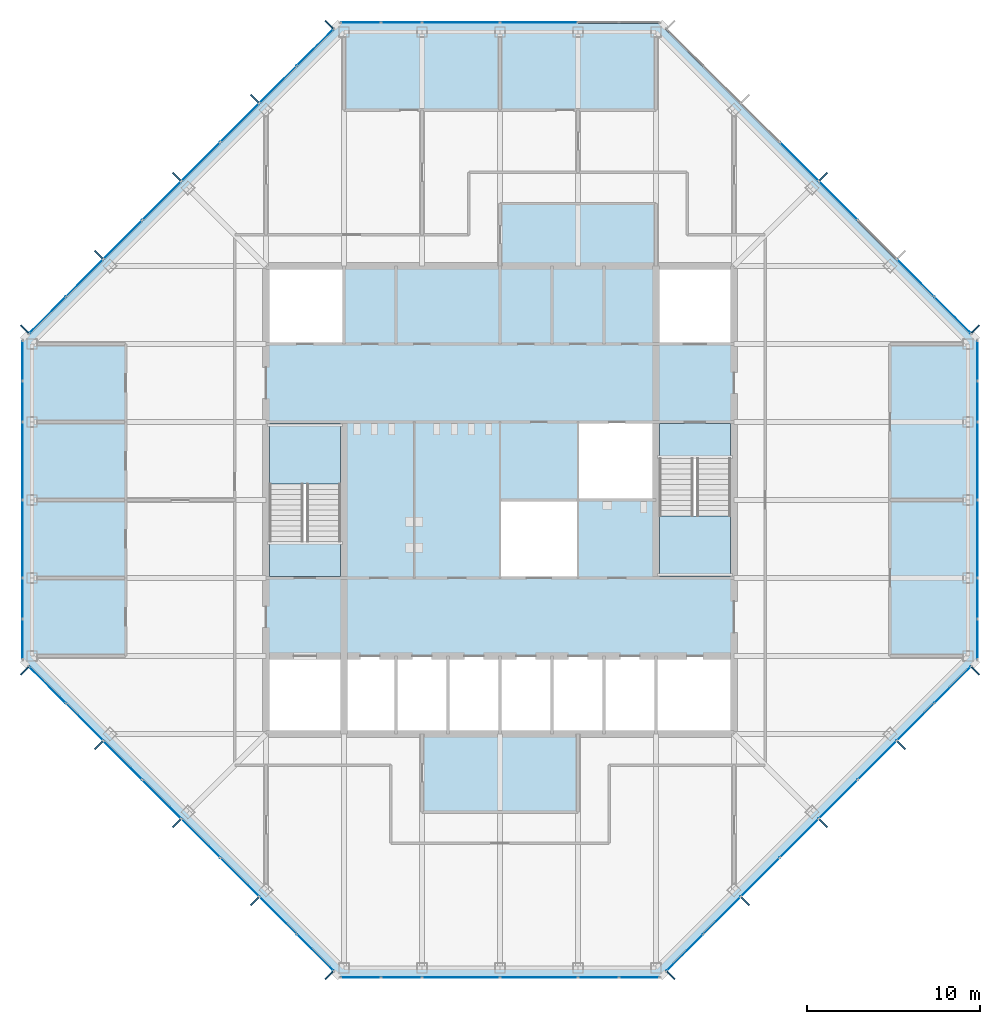
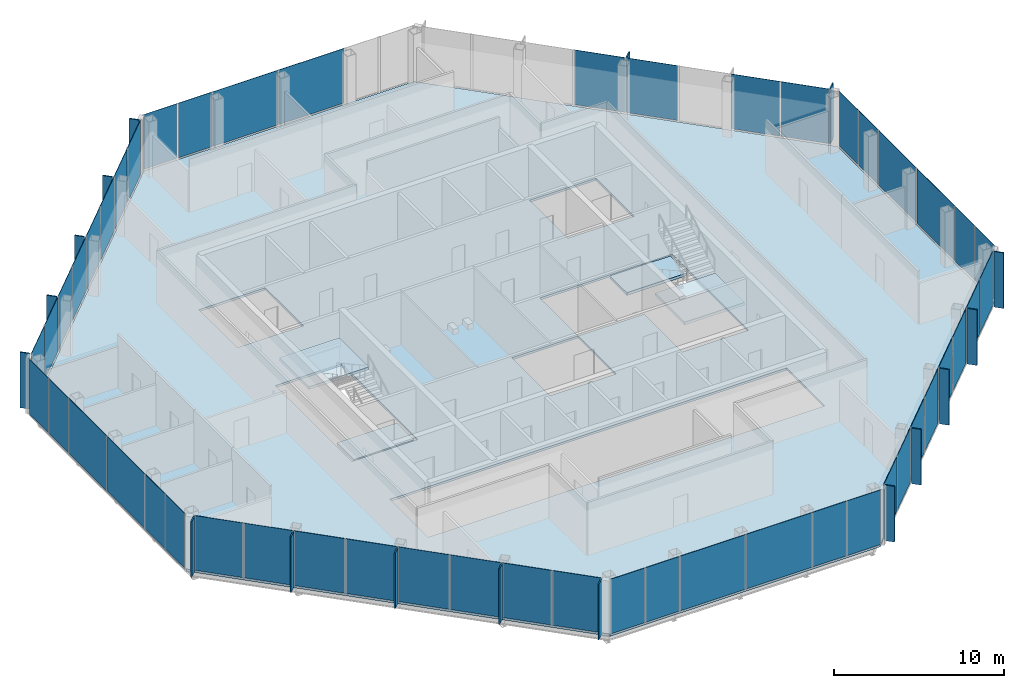
# One storey, part 8 of 14: 67 plates, 5 slabs, 10 elements without a shape of their own.
"""IFC4 building model written with IfcOpenShell, lengths in metres."""

from ifc_helpers import new_model, si_unit, direction, frame, origin, origin_2d, place, context, subcontext, project, spatial, polyline, rectangle, outline, extrude, material, layer, layer_set, type_object, element, aggregate, save


model = new_model("IFC4")

# Units and contexts
model_context = context("Model", 3, precision=1e-05, world=origin(), true_north=direction((0.0, 1.0)))
body_context = subcontext(model_context, "Body", "Model", "MODEL_VIEW")
ifc_project = project(units=[si_unit("LENGTHUNIT", "METRE"), si_unit("AREAUNIT", "SQUARE_METRE"), si_unit("VOLUMEUNIT", "CUBIC_METRE"), si_unit("PLANEANGLEUNIT", "RADIAN"), si_unit("MASSUNIT", "GRAM", prefix="KILO")], contexts=[model_context])

# Site, building, storey
site_placement = place(None, origin())
site = spatial("IfcSite", under=ifc_project, at=site_placement, CompositionType="ELEMENT")
building_placement = place(site_placement, origin())
building = spatial("IfcBuilding", under=site, at=building_placement, Name="Corais Broadcast Tower", CompositionType="ELEMENT")
storey_placement = place(building_placement, frame((0.0, 0.0, 266.60009765625)))
storey = spatial("IfcBuildingStorey", under=building, at=storey_placement, Name="L62", CompositionType="ELEMENT", Elevation=266.60009765625)

# Slab
ifc_material_1 = material(Name="Concrete C30/37", Category="concrete")
ifc_layer_1 = layer(ifc_material_1, 0.159912109375)
ifc_layer_set_1 = layer_set([ifc_layer_1], Name="Concrete C30/37")
slab_type_1 = type_object("IfcSlabType", Name="Composite floor slab 160", PredefinedType="FLOOR", material=ifc_layer_set_1)
slab_1_placement = place(storey_placement, frame((0.0, 0.0, -0.16015625)))
element("IfcSlab", 1, at=slab_1_placement, inside=storey, type_object=slab_type_1, Name="S160 floor slab L62", PredefinedType="FLOOR", context=body_context, shape_type="SweptSolid", body=[
    extrude(outline(polyline([(17.80126953125, -0.47998046875), (-0.47998046875, 17.80126953125), (-0.47998046875, 36.19873046875), (17.80126953125, 54.47998046875), (36.19873046875, 54.47998046875), (54.47998046875, 36.19873046875), (54.47998046875, 17.80126953125), (36.19873046875, -0.47998046875), (17.80126953125, -0.47998046875)]), holes=[polyline([(13.5, 18.0), (40.5, 18.0), (40.5, 13.5), (13.5, 13.5), (13.5, 18.0)]), polyline([(18.0, 22.5), (13.5, 22.5), (13.5, 31.5), (18.0, 31.5), (18.0, 22.5)]), polyline([(18.0, 36.0), (13.5, 36.0), (13.5, 40.5), (18.0, 40.5), (18.0, 36.0)]), polyline([(31.5, 22.5), (27.0, 22.5), (27.0, 27.0), (31.4951171875, 27.0), (31.4951171875, 27.0048828125), (31.5, 27.0048828125), (31.5, 31.5), (40.5, 31.5), (40.5, 22.5), (36.0, 22.5), (36.0, 27.0), (31.5048828125, 27.0), (31.5048828125, 26.9951171875), (31.5, 26.9951171875), (31.5, 22.5)]), polyline([(40.5, 36.0), (36.0, 36.0), (36.0, 40.5), (40.5, 40.5), (40.5, 36.0)])]), origin(), (0.0, 0.0, 1.0), 0.16015625),
])

# Curtain wall, plates
ifc_material_2 = material(Name="Aluminium and glass", Category="aluminium")
curtain_wall_type = type_object("IfcCurtainWallType", Name="Unitised fritted curtain wall CW3", PredefinedType="NOTDEFINED", material=ifc_material_2)
curtain_wall_1_placement = place(storey_placement, origin())
curtain_wall_1 = element("IfcCurtainWall", 2, at=curtain_wall_1_placement, inside=storey, type_object=curtain_wall_type, Name="CW3 curtain wall L62 1", PredefinedType="NOTDEFINED")
ifc_material_3 = material(Name="Ceramic-fritted laminated glass", Category="glass")
ifc_layer_2 = layer(ifc_material_3, 0.02587890625)
ifc_layer_set_2 = layer_set([ifc_layer_2], Name="Ceramic-fritted laminated glass")
plate_type_1 = type_object("IfcPlateType", Name="Fritted glass panel CW3", PredefinedType="CURTAIN_PANEL", material=ifc_layer_set_2)
plate_1_placement = place(storey_placement, frame((16.330322265625, 0.891845703125, 0.06494140625), z_axis=(0.0, 0.0, 1.0), x_axis=(-0.707106781187, 0.707106781187, 0.0)))
plate_1 = element("IfcPlate", 3, at=plate_1_placement, type_object=plate_type_1, Name="CW3 panel 1", PredefinedType="CURTAIN_PANEL", context=body_context, shape_type="SweptSolid", body=[
    extrude(rectangle(XDim=2.9482421875, YDim=0.02587890625, at=origin_2d()), origin(), (0.0, 0.0, 1.0), 3.93505859375),
])
plate_2_placement = place(storey_placement, frame((11.986083984375, 5.236083984375, 0.06494140625), z_axis=(0.0, 0.0, 1.0), x_axis=(-0.707106781187, 0.707106781187, 0.0)))
plate_2 = element("IfcPlate", 4, at=plate_2_placement, type_object=plate_type_1, Name="CW3 panel 3", PredefinedType="CURTAIN_PANEL", context=body_context, shape_type="SweptSolid", body=[
    extrude(rectangle(XDim=3.116943359375, YDim=0.02587890625, at=origin_2d()), origin(), (0.0, 0.0, 1.0), 3.93505859375),
])
plate_3_placement = place(storey_placement, frame((7.486083984375, 9.736083984375, 0.06494140625), z_axis=(0.0, 0.0, 1.0), x_axis=(-0.707106781187, 0.707106781187, 0.0)))
plate_3 = element("IfcPlate", 5, at=plate_3_placement, type_object=plate_type_1, Name="CW3 panel 5", PredefinedType="CURTAIN_PANEL", context=body_context, shape_type="SweptSolid", body=[
    extrude(rectangle(XDim=3.116943359375, YDim=0.02587890625, at=origin_2d()), origin(), (0.0, 0.0, 1.0), 3.93505859375),
])
plate_4_placement = place(storey_placement, frame((3.0341796875, 14.18798828125, 0.06494140625), z_axis=(0.0, 0.0, 1.0), x_axis=(-0.707106781187, 0.707106781187, 0.0)))
plate_4 = element("IfcPlate", 6, at=plate_4_placement, type_object=plate_type_1, Name="CW3 panel 7", PredefinedType="CURTAIN_PANEL", context=body_context, shape_type="SweptSolid", body=[
    extrude(rectangle(XDim=2.98095703125, YDim=0.02587890625, at=origin_2d()), origin(), (0.0, 0.0, 1.0), 3.93505859375),
])

curtain_wall_2_placement = place(storey_placement, origin())
curtain_wall_2 = element("IfcCurtainWall", 7, at=curtain_wall_2_placement, inside=storey, type_object=curtain_wall_type, Name="CW3 curtain wall L62 2", PredefinedType="NOTDEFINED")
plate_5_placement = place(storey_placement, frame((-0.550048828125, 18.970458984375, 0.06494140625), z_axis=(0.0, 0.0, 1.0), x_axis=(0.0, 1.0, 0.0)))
plate_5 = element("IfcPlate", 8, at=plate_5_placement, type_object=plate_type_1, Name="CW3 panel 1", PredefinedType="CURTAIN_PANEL", context=body_context, shape_type="SweptSolid", body=[
    extrude(rectangle(XDim=2.266357421875, YDim=0.02587890625, at=origin_2d()), origin(), (0.0, 0.0, 1.0), 3.93505859375),
])
plate_6_placement = place(storey_placement, frame((-0.550048828125, 24.75, 0.06494140625), z_axis=(0.0, 0.0, 1.0), x_axis=(0.0, 1.0, 0.0)))
plate_6 = element("IfcPlate", 9, at=plate_6_placement, type_object=plate_type_1, Name="CW3 panel 3", PredefinedType="CURTAIN_PANEL", context=body_context, shape_type="SweptSolid", body=[
    extrude(rectangle(XDim=4.43505859375, YDim=0.02587890625, at=origin_2d()), origin(), (0.0, 0.0, 1.0), 3.93505859375),
])
plate_7_placement = place(storey_placement, frame((-0.550048828125, 32.681884765625, 0.06494140625), z_axis=(0.0, 0.0, 1.0), x_axis=(0.0, 1.0, 0.0)))
plate_7 = element("IfcPlate", 10, at=plate_7_placement, type_object=plate_type_1, Name="CW3 panel 5", PredefinedType="CURTAIN_PANEL", context=body_context, shape_type="SweptSolid", body=[
    extrude(rectangle(XDim=2.298828125, YDim=0.02587890625, at=origin_2d()), origin(), (0.0, 0.0, 1.0), 3.93505859375),
])

curtain_wall_3_placement = place(storey_placement, origin())
curtain_wall_3 = element("IfcCurtainWall", 11, at=curtain_wall_3_placement, inside=storey, type_object=curtain_wall_type, Name="CW3 curtain wall L62 3", PredefinedType="NOTDEFINED")
plate_8_placement = place(storey_placement, frame((0.891845703125, 37.669677734375, 0.06494140625), z_axis=(0.0, 0.0, 1.0), x_axis=(0.707106781187, 0.707106781187, 0.0)))
plate_8 = element("IfcPlate", 12, at=plate_8_placement, type_object=plate_type_1, Name="CW3 panel 1", PredefinedType="CURTAIN_PANEL", context=body_context, shape_type="SweptSolid", body=[
    extrude(rectangle(XDim=2.9482421875, YDim=0.02587890625, at=origin_2d()), origin(), (0.0, 0.0, 1.0), 3.93505859375),
])
plate_9_placement = place(storey_placement, frame((5.236083984375, 42.013916015625, 0.06494140625), z_axis=(0.0, 0.0, 1.0), x_axis=(0.707106781187, 0.707106781187, 0.0)))
plate_9 = element("IfcPlate", 13, at=plate_9_placement, type_object=plate_type_1, Name="CW3 panel 3", PredefinedType="CURTAIN_PANEL", context=body_context, shape_type="SweptSolid", body=[
    extrude(rectangle(XDim=3.116943359375, YDim=0.02587890625, at=origin_2d()), origin(), (0.0, 0.0, 1.0), 3.93505859375),
])
plate_10_placement = place(storey_placement, frame((9.736083984375, 46.513916015625, 0.06494140625), z_axis=(0.0, 0.0, 1.0), x_axis=(0.707106781187, 0.707106781187, 0.0)))
plate_10 = element("IfcPlate", 14, at=plate_10_placement, type_object=plate_type_1, Name="CW3 panel 5", PredefinedType="CURTAIN_PANEL", context=body_context, shape_type="SweptSolid", body=[
    extrude(rectangle(XDim=3.116943359375, YDim=0.02587890625, at=origin_2d()), origin(), (0.0, 0.0, 1.0), 3.93505859375),
])
plate_11_placement = place(storey_placement, frame((14.18798828125, 50.9658203125, 0.06494140625), z_axis=(0.0, 0.0, 1.0), x_axis=(0.707106781187, 0.707106781187, 0.0)))
plate_11 = element("IfcPlate", 15, at=plate_11_placement, type_object=plate_type_1, Name="CW3 panel 7", PredefinedType="CURTAIN_PANEL", context=body_context, shape_type="SweptSolid", body=[
    extrude(rectangle(XDim=2.98095703125, YDim=0.02587890625, at=origin_2d()), origin(), (0.0, 0.0, 1.0), 3.93505859375),
])

curtain_wall_4_placement = place(storey_placement, origin())
curtain_wall_4 = element("IfcCurtainWall", 16, at=curtain_wall_4_placement, inside=storey, type_object=curtain_wall_type, Name="CW3 curtain wall L62 4", PredefinedType="NOTDEFINED")
plate_12_placement = place(storey_placement, frame((18.970458984375, 54.550048828125, 0.06494140625), z_axis=(0.0, 0.0, 1.0), x_axis=(1.0, 0.0, 0.0)))
plate_12 = element("IfcPlate", 17, at=plate_12_placement, type_object=plate_type_1, Name="CW3 panel 1", PredefinedType="CURTAIN_PANEL", context=body_context, shape_type="SweptSolid", body=[
    extrude(rectangle(XDim=2.266357421875, YDim=0.02587890625, at=origin_2d()), origin(), (0.0, 0.0, 1.0), 3.93505859375),
])
plate_13_placement = place(storey_placement, frame((24.75, 54.550048828125, 0.06494140625), z_axis=(0.0, 0.0, 1.0), x_axis=(1.0, 0.0, 0.0)))
plate_13 = element("IfcPlate", 18, at=plate_13_placement, type_object=plate_type_1, Name="CW3 panel 3", PredefinedType="CURTAIN_PANEL", context=body_context, shape_type="SweptSolid", body=[
    extrude(rectangle(XDim=4.43505859375, YDim=0.02587890625, at=origin_2d()), origin(), (0.0, 0.0, 1.0), 3.93505859375),
])

curtain_wall_5_placement = place(storey_placement, origin())
curtain_wall_5 = element("IfcCurtainWall", 19, at=curtain_wall_5_placement, inside=storey, type_object=curtain_wall_type, Name="CW3 curtain wall L62 5", PredefinedType="NOTDEFINED")
plate_14_placement = place(storey_placement, frame((46.513916015625, 44.263916015625, 0.06494140625), z_axis=(0.0, 0.0, 1.0), x_axis=(0.707106781187, -0.707106781187, 0.0)))
plate_14 = element("IfcPlate", 20, at=plate_14_placement, type_object=plate_type_1, Name="CW3 panel 5", PredefinedType="CURTAIN_PANEL", context=body_context, shape_type="SweptSolid", body=[
    extrude(rectangle(XDim=3.116943359375, YDim=0.02587890625, at=origin_2d()), origin(), (0.0, 0.0, 1.0), 3.93505859375),
])
plate_15_placement = place(storey_placement, frame((50.9658203125, 39.81201171875, 0.06494140625), z_axis=(0.0, 0.0, 1.0), x_axis=(0.707106781187, -0.707106781187, 0.0)))
plate_15 = element("IfcPlate", 21, at=plate_15_placement, type_object=plate_type_1, Name="CW3 panel 7", PredefinedType="CURTAIN_PANEL", context=body_context, shape_type="SweptSolid", body=[
    extrude(rectangle(XDim=2.98095703125, YDim=0.02587890625, at=origin_2d()), origin(), (0.0, 0.0, 1.0), 3.93505859375),
])

curtain_wall_6_placement = place(storey_placement, origin())
curtain_wall_6 = element("IfcCurtainWall", 22, at=curtain_wall_6_placement, inside=storey, type_object=curtain_wall_type, Name="CW3 curtain wall L62 6", PredefinedType="NOTDEFINED")
plate_16_placement = place(storey_placement, frame((54.550048828125, 35.029541015625, 0.06494140625), z_axis=(0.0, 0.0, 1.0), x_axis=(0.0, -1.0, 0.0)))
plate_16 = element("IfcPlate", 23, at=plate_16_placement, type_object=plate_type_1, Name="CW3 panel 1", PredefinedType="CURTAIN_PANEL", context=body_context, shape_type="SweptSolid", body=[
    extrude(rectangle(XDim=2.266357421875, YDim=0.02587890625, at=origin_2d()), origin(), (0.0, 0.0, 1.0), 3.93505859375),
])
plate_17_placement = place(storey_placement, frame((54.550048828125, 29.25, 0.06494140625), z_axis=(0.0, 0.0, 1.0), x_axis=(0.0, -1.0, 0.0)))
plate_17 = element("IfcPlate", 24, at=plate_17_placement, type_object=plate_type_1, Name="CW3 panel 3", PredefinedType="CURTAIN_PANEL", context=body_context, shape_type="SweptSolid", body=[
    extrude(rectangle(XDim=4.43505859375, YDim=0.02587890625, at=origin_2d()), origin(), (0.0, 0.0, 1.0), 3.93505859375),
])
plate_18_placement = place(storey_placement, frame((54.550048828125, 21.318115234375, 0.06494140625), z_axis=(0.0, 0.0, 1.0), x_axis=(0.0, -1.0, 0.0)))
plate_18 = element("IfcPlate", 25, at=plate_18_placement, type_object=plate_type_1, Name="CW3 panel 5", PredefinedType="CURTAIN_PANEL", context=body_context, shape_type="SweptSolid", body=[
    extrude(rectangle(XDim=2.298828125, YDim=0.02587890625, at=origin_2d()), origin(), (0.0, 0.0, 1.0), 3.93505859375),
])

curtain_wall_7_placement = place(storey_placement, origin())
curtain_wall_7 = element("IfcCurtainWall", 26, at=curtain_wall_7_placement, inside=storey, type_object=curtain_wall_type, Name="CW3 curtain wall L62 7", PredefinedType="NOTDEFINED")
plate_19_placement = place(storey_placement, frame((53.108154296875, 16.330322265625, 0.06494140625), z_axis=(0.0, 0.0, 1.0), x_axis=(-0.707106781187, -0.707106781187, 0.0)))
plate_19 = element("IfcPlate", 27, at=plate_19_placement, type_object=plate_type_1, Name="CW3 panel 1", PredefinedType="CURTAIN_PANEL", context=body_context, shape_type="SweptSolid", body=[
    extrude(rectangle(XDim=2.9482421875, YDim=0.02587890625, at=origin_2d()), origin(), (0.0, 0.0, 1.0), 3.93505859375),
])
plate_20_placement = place(storey_placement, frame((48.763916015625, 11.986083984375, 0.06494140625), z_axis=(0.0, 0.0, 1.0), x_axis=(-0.707106781187, -0.707106781187, 0.0)))
plate_20 = element("IfcPlate", 28, at=plate_20_placement, type_object=plate_type_1, Name="CW3 panel 3", PredefinedType="CURTAIN_PANEL", context=body_context, shape_type="SweptSolid", body=[
    extrude(rectangle(XDim=3.116943359375, YDim=0.02587890625, at=origin_2d()), origin(), (0.0, 0.0, 1.0), 3.93505859375),
])
plate_21_placement = place(storey_placement, frame((44.263916015625, 7.486083984375, 0.06494140625), z_axis=(0.0, 0.0, 1.0), x_axis=(-0.707106781187, -0.707106781187, 0.0)))
plate_21 = element("IfcPlate", 29, at=plate_21_placement, type_object=plate_type_1, Name="CW3 panel 5", PredefinedType="CURTAIN_PANEL", context=body_context, shape_type="SweptSolid", body=[
    extrude(rectangle(XDim=3.116943359375, YDim=0.02587890625, at=origin_2d()), origin(), (0.0, 0.0, 1.0), 3.93505859375),
])
plate_22_placement = place(storey_placement, frame((39.81201171875, 3.0341796875, 0.06494140625), z_axis=(0.0, 0.0, 1.0), x_axis=(-0.707106781187, -0.707106781187, 0.0)))
plate_22 = element("IfcPlate", 30, at=plate_22_placement, type_object=plate_type_1, Name="CW3 panel 7", PredefinedType="CURTAIN_PANEL", context=body_context, shape_type="SweptSolid", body=[
    extrude(rectangle(XDim=2.98095703125, YDim=0.02587890625, at=origin_2d()), origin(), (0.0, 0.0, 1.0), 3.93505859375),
])

curtain_wall_8_placement = place(storey_placement, origin())
curtain_wall_8 = element("IfcCurtainWall", 31, at=curtain_wall_8_placement, inside=storey, type_object=curtain_wall_type, Name="CW3 curtain wall L62 8", PredefinedType="NOTDEFINED")
plate_23_placement = place(storey_placement, frame((35.029541015625, -0.550048828125, 0.06494140625), z_axis=(0.0, 0.0, 1.0), x_axis=(-1.0, 0.0, 0.0)))
plate_23 = element("IfcPlate", 32, at=plate_23_placement, type_object=plate_type_1, Name="CW3 panel 1", PredefinedType="CURTAIN_PANEL", context=body_context, shape_type="SweptSolid", body=[
    extrude(rectangle(XDim=2.266357421875, YDim=0.02587890625, at=origin_2d()), origin(), (0.0, 0.0, 1.0), 3.93505859375),
])
plate_24_placement = place(storey_placement, frame((29.25, -0.550048828125, 0.06494140625), z_axis=(0.0, 0.0, 1.0), x_axis=(-1.0, 0.0, 0.0)))
plate_24 = element("IfcPlate", 33, at=plate_24_placement, type_object=plate_type_1, Name="CW3 panel 3", PredefinedType="CURTAIN_PANEL", context=body_context, shape_type="SweptSolid", body=[
    extrude(rectangle(XDim=4.43505859375, YDim=0.02587890625, at=origin_2d()), origin(), (0.0, 0.0, 1.0), 3.93505859375),
])
plate_25_placement = place(storey_placement, frame((21.318115234375, -0.550048828125, 0.06494140625), z_axis=(0.0, 0.0, 1.0), x_axis=(-1.0, 0.0, 0.0)))
plate_25 = element("IfcPlate", 34, at=plate_25_placement, type_object=plate_type_1, Name="CW3 panel 5", PredefinedType="CURTAIN_PANEL", context=body_context, shape_type="SweptSolid", body=[
    extrude(rectangle(XDim=2.298828125, YDim=0.02587890625, at=origin_2d()), origin(), (0.0, 0.0, 1.0), 3.93505859375),
])

# Plate
ifc_material_4 = material(Name="Clear laminated glass", Category="glass")
ifc_layer_3 = layer(ifc_material_4, 0.030029296875)
ifc_layer_set_3 = layer_set([ifc_layer_3], Name="Clear laminated glass")
plate_type_2 = type_object("IfcPlateType", Name="Operable glass panel CW3", PredefinedType="CURTAIN_PANEL", material=ifc_layer_set_3)
plate_26_placement = place(storey_placement, frame((14.18798828125, 3.0341796875, 0.06494140625), z_axis=(0.0, 0.0, 1.0), x_axis=(-0.707106781187, 0.707106781187, 0.0)))
plate_26 = element("IfcPlate", 35, at=plate_26_placement, type_object=plate_type_2, Name="CW3 operable panel 2", PredefinedType="CURTAIN_PANEL", context=body_context, shape_type="SweptSolid", body=[
    extrude(rectangle(XDim=2.98095703125, YDim=0.030029296875, at=origin_2d()), origin(), (0.0, 0.0, 1.0), 3.93505859375),
])

plate_27_placement = place(storey_placement, frame((9.736083984375, 7.486083984375, 0.06494140625), z_axis=(0.0, 0.0, 1.0), x_axis=(-0.707106781187, 0.707106781187, 0.0)))
plate_27 = element("IfcPlate", 36, at=plate_27_placement, type_object=plate_type_2, Name="CW3 operable panel 4", PredefinedType="CURTAIN_PANEL", context=body_context, shape_type="SweptSolid", body=[
    extrude(rectangle(XDim=3.116943359375, YDim=0.030029296875, at=origin_2d()), origin(), (0.0, 0.0, 1.0), 3.93505859375),
])

plate_28_placement = place(storey_placement, frame((5.236083984375, 11.986083984375, 0.06494140625), z_axis=(0.0, 0.0, 1.0), x_axis=(-0.707106781187, 0.707106781187, 0.0)))
plate_28 = element("IfcPlate", 37, at=plate_28_placement, type_object=plate_type_2, Name="CW3 operable panel 6", PredefinedType="CURTAIN_PANEL", context=body_context, shape_type="SweptSolid", body=[
    extrude(rectangle(XDim=3.116943359375, YDim=0.030029296875, at=origin_2d()), origin(), (0.0, 0.0, 1.0), 3.93505859375),
])

plate_29_placement = place(storey_placement, frame((0.89208984375, 16.330322265625, 0.06494140625), z_axis=(0.0, 0.0, 1.0), x_axis=(-0.707106781187, 0.707106781187, 0.0)))
plate_29 = element("IfcPlate", 38, at=plate_29_placement, type_object=plate_type_2, Name="CW3 operable panel 8", PredefinedType="CURTAIN_PANEL", context=body_context, shape_type="SweptSolid", body=[
    extrude(rectangle(XDim=2.948486328125, YDim=0.030029296875, at=origin_2d()), origin(), (0.0, 0.0, 1.0), 3.93505859375),
])

aggregate(curtain_wall_1, [plate_1, plate_26, plate_2, plate_27, plate_3, plate_28, plate_4, plate_29])

plate_30_placement = place(storey_placement, frame((-0.550048828125, 21.318115234375, 0.06494140625), z_axis=(0.0, 0.0, 1.0), x_axis=(0.0, 1.0, 0.0)))
plate_30 = element("IfcPlate", 39, at=plate_30_placement, type_object=plate_type_2, Name="CW3 operable panel 2", PredefinedType="CURTAIN_PANEL", context=body_context, shape_type="SweptSolid", body=[
    extrude(rectangle(XDim=2.298828125, YDim=0.030029296875, at=origin_2d()), origin(), (0.0, 0.0, 1.0), 3.93505859375),
])

plate_31_placement = place(storey_placement, frame((-0.550048828125, 29.25, 0.06494140625), z_axis=(0.0, 0.0, 1.0), x_axis=(0.0, 1.0, 0.0)))
plate_31 = element("IfcPlate", 40, at=plate_31_placement, type_object=plate_type_2, Name="CW3 operable panel 4", PredefinedType="CURTAIN_PANEL", context=body_context, shape_type="SweptSolid", body=[
    extrude(rectangle(XDim=4.43505859375, YDim=0.030029296875, at=origin_2d()), origin(), (0.0, 0.0, 1.0), 3.93505859375),
])

plate_32_placement = place(storey_placement, frame((-0.550048828125, 35.029541015625, 0.06494140625), z_axis=(0.0, 0.0, 1.0), x_axis=(0.0, 1.0, 0.0)))
plate_32 = element("IfcPlate", 41, at=plate_32_placement, type_object=plate_type_2, Name="CW3 operable panel 6", PredefinedType="CURTAIN_PANEL", context=body_context, shape_type="SweptSolid", body=[
    extrude(rectangle(XDim=2.266357421875, YDim=0.030029296875, at=origin_2d()), origin(), (0.0, 0.0, 1.0), 3.93505859375),
])

aggregate(curtain_wall_2, [plate_5, plate_30, plate_6, plate_31, plate_7, plate_32])

plate_33_placement = place(storey_placement, frame((3.0341796875, 39.81201171875, 0.06494140625), z_axis=(0.0, 0.0, 1.0), x_axis=(0.707106781187, 0.707106781187, 0.0)))
plate_33 = element("IfcPlate", 42, at=plate_33_placement, type_object=plate_type_2, Name="CW3 operable panel 2", PredefinedType="CURTAIN_PANEL", context=body_context, shape_type="SweptSolid", body=[
    extrude(rectangle(XDim=2.98095703125, YDim=0.030029296875, at=origin_2d()), origin(), (0.0, 0.0, 1.0), 3.93505859375),
])

plate_34_placement = place(storey_placement, frame((7.486083984375, 44.263916015625, 0.06494140625), z_axis=(0.0, 0.0, 1.0), x_axis=(0.707106781187, 0.707106781187, 0.0)))
plate_34 = element("IfcPlate", 43, at=plate_34_placement, type_object=plate_type_2, Name="CW3 operable panel 4", PredefinedType="CURTAIN_PANEL", context=body_context, shape_type="SweptSolid", body=[
    extrude(rectangle(XDim=3.116943359375, YDim=0.030029296875, at=origin_2d()), origin(), (0.0, 0.0, 1.0), 3.93505859375),
])

plate_35_placement = place(storey_placement, frame((11.986083984375, 48.763916015625, 0.06494140625), z_axis=(0.0, 0.0, 1.0), x_axis=(0.707106781187, 0.707106781187, 0.0)))
plate_35 = element("IfcPlate", 44, at=plate_35_placement, type_object=plate_type_2, Name="CW3 operable panel 6", PredefinedType="CURTAIN_PANEL", context=body_context, shape_type="SweptSolid", body=[
    extrude(rectangle(XDim=3.116943359375, YDim=0.030029296875, at=origin_2d()), origin(), (0.0, 0.0, 1.0), 3.93505859375),
])

plate_36_placement = place(storey_placement, frame((16.330322265625, 53.10791015625, 0.06494140625), z_axis=(0.0, 0.0, 1.0), x_axis=(0.707106781187, 0.707106781187, 0.0)))
plate_36 = element("IfcPlate", 45, at=plate_36_placement, type_object=plate_type_2, Name="CW3 operable panel 8", PredefinedType="CURTAIN_PANEL", context=body_context, shape_type="SweptSolid", body=[
    extrude(rectangle(XDim=2.948486328125, YDim=0.030029296875, at=origin_2d()), origin(), (0.0, 0.0, 1.0), 3.93505859375),
])

aggregate(curtain_wall_3, [plate_8, plate_33, plate_9, plate_34, plate_10, plate_35, plate_11, plate_36])

plate_37_placement = place(storey_placement, frame((21.318115234375, 54.550048828125, 0.06494140625), z_axis=(0.0, 0.0, 1.0), x_axis=(1.0, 0.0, 0.0)))
plate_37 = element("IfcPlate", 46, at=plate_37_placement, type_object=plate_type_2, Name="CW3 operable panel 2", PredefinedType="CURTAIN_PANEL", context=body_context, shape_type="SweptSolid", body=[
    extrude(rectangle(XDim=2.298828125, YDim=0.030029296875, at=origin_2d()), origin(), (0.0, 0.0, 1.0), 3.93505859375),
])

plate_38_placement = place(storey_placement, frame((29.25, 54.550048828125, 0.06494140625), z_axis=(0.0, 0.0, 1.0), x_axis=(1.0, 0.0, 0.0)))
plate_38 = element("IfcPlate", 47, at=plate_38_placement, type_object=plate_type_2, Name="CW3 operable panel 4", PredefinedType="CURTAIN_PANEL", context=body_context, shape_type="SweptSolid", body=[
    extrude(rectangle(XDim=4.43505859375, YDim=0.030029296875, at=origin_2d()), origin(), (0.0, 0.0, 1.0), 3.93505859375),
])

aggregate(curtain_wall_4, [plate_12, plate_37, plate_13, plate_38])

plate_39_placement = place(storey_placement, frame((44.263916015625, 46.513916015625, 0.06494140625), z_axis=(0.0, 0.0, 1.0), x_axis=(0.707106781187, -0.707106781187, 0.0)))
plate_39 = element("IfcPlate", 48, at=plate_39_placement, type_object=plate_type_2, Name="CW3 operable panel 4", PredefinedType="CURTAIN_PANEL", context=body_context, shape_type="SweptSolid", body=[
    extrude(rectangle(XDim=3.116943359375, YDim=0.030029296875, at=origin_2d()), origin(), (0.0, 0.0, 1.0), 3.93505859375),
])

plate_40_placement = place(storey_placement, frame((53.10791015625, 37.669677734375, 0.06494140625), z_axis=(0.0, 0.0, 1.0), x_axis=(0.707106781187, -0.707106781187, 0.0)))
plate_40 = element("IfcPlate", 49, at=plate_40_placement, type_object=plate_type_2, Name="CW3 operable panel 8", PredefinedType="CURTAIN_PANEL", context=body_context, shape_type="SweptSolid", body=[
    extrude(rectangle(XDim=2.948486328125, YDim=0.030029296875, at=origin_2d()), origin(), (0.0, 0.0, 1.0), 3.93505859375),
])

aggregate(curtain_wall_5, [plate_39, plate_14, plate_15, plate_40])

plate_41_placement = place(storey_placement, frame((54.550048828125, 32.681884765625, 0.06494140625), z_axis=(0.0, 0.0, 1.0), x_axis=(0.0, -1.0, 0.0)))
plate_41 = element("IfcPlate", 50, at=plate_41_placement, type_object=plate_type_2, Name="CW3 operable panel 2", PredefinedType="CURTAIN_PANEL", context=body_context, shape_type="SweptSolid", body=[
    extrude(rectangle(XDim=2.298828125, YDim=0.030029296875, at=origin_2d()), origin(), (0.0, 0.0, 1.0), 3.93505859375),
])

plate_42_placement = place(storey_placement, frame((54.550048828125, 24.75, 0.06494140625), z_axis=(0.0, 0.0, 1.0), x_axis=(0.0, -1.0, 0.0)))
plate_42 = element("IfcPlate", 51, at=plate_42_placement, type_object=plate_type_2, Name="CW3 operable panel 4", PredefinedType="CURTAIN_PANEL", context=body_context, shape_type="SweptSolid", body=[
    extrude(rectangle(XDim=4.43505859375, YDim=0.030029296875, at=origin_2d()), origin(), (0.0, 0.0, 1.0), 3.93505859375),
])

plate_43_placement = place(storey_placement, frame((54.550048828125, 18.970458984375, 0.06494140625), z_axis=(0.0, 0.0, 1.0), x_axis=(0.0, -1.0, 0.0)))
plate_43 = element("IfcPlate", 52, at=plate_43_placement, type_object=plate_type_2, Name="CW3 operable panel 6", PredefinedType="CURTAIN_PANEL", context=body_context, shape_type="SweptSolid", body=[
    extrude(rectangle(XDim=2.266357421875, YDim=0.030029296875, at=origin_2d()), origin(), (0.0, 0.0, 1.0), 3.93505859375),
])

aggregate(curtain_wall_6, [plate_16, plate_41, plate_17, plate_42, plate_18, plate_43])

plate_44_placement = place(storey_placement, frame((50.9658203125, 14.18798828125, 0.06494140625), z_axis=(0.0, 0.0, 1.0), x_axis=(-0.707106781187, -0.707106781187, 0.0)))
plate_44 = element("IfcPlate", 53, at=plate_44_placement, type_object=plate_type_2, Name="CW3 operable panel 2", PredefinedType="CURTAIN_PANEL", context=body_context, shape_type="SweptSolid", body=[
    extrude(rectangle(XDim=2.98095703125, YDim=0.030029296875, at=origin_2d()), origin(), (0.0, 0.0, 1.0), 3.93505859375),
])

plate_45_placement = place(storey_placement, frame((46.513916015625, 9.736083984375, 0.06494140625), z_axis=(0.0, 0.0, 1.0), x_axis=(-0.707106781187, -0.707106781187, 0.0)))
plate_45 = element("IfcPlate", 54, at=plate_45_placement, type_object=plate_type_2, Name="CW3 operable panel 4", PredefinedType="CURTAIN_PANEL", context=body_context, shape_type="SweptSolid", body=[
    extrude(rectangle(XDim=3.116943359375, YDim=0.030029296875, at=origin_2d()), origin(), (0.0, 0.0, 1.0), 3.93505859375),
])

plate_46_placement = place(storey_placement, frame((42.013916015625, 5.236083984375, 0.06494140625), z_axis=(0.0, 0.0, 1.0), x_axis=(-0.707106781187, -0.707106781187, 0.0)))
plate_46 = element("IfcPlate", 55, at=plate_46_placement, type_object=plate_type_2, Name="CW3 operable panel 6", PredefinedType="CURTAIN_PANEL", context=body_context, shape_type="SweptSolid", body=[
    extrude(rectangle(XDim=3.116943359375, YDim=0.030029296875, at=origin_2d()), origin(), (0.0, 0.0, 1.0), 3.93505859375),
])

plate_47_placement = place(storey_placement, frame((37.669677734375, 0.89208984375, 0.06494140625), z_axis=(0.0, 0.0, 1.0), x_axis=(-0.707106781187, -0.707106781187, 0.0)))
plate_47 = element("IfcPlate", 56, at=plate_47_placement, type_object=plate_type_2, Name="CW3 operable panel 8", PredefinedType="CURTAIN_PANEL", context=body_context, shape_type="SweptSolid", body=[
    extrude(rectangle(XDim=2.948486328125, YDim=0.030029296875, at=origin_2d()), origin(), (0.0, 0.0, 1.0), 3.93505859375),
])

aggregate(curtain_wall_7, [plate_19, plate_44, plate_20, plate_45, plate_21, plate_46, plate_22, plate_47])

plate_48_placement = place(storey_placement, frame((32.681884765625, -0.550048828125, 0.06494140625), z_axis=(0.0, 0.0, 1.0), x_axis=(-1.0, 0.0, 0.0)))
plate_48 = element("IfcPlate", 57, at=plate_48_placement, type_object=plate_type_2, Name="CW3 operable panel 2", PredefinedType="CURTAIN_PANEL", context=body_context, shape_type="SweptSolid", body=[
    extrude(rectangle(XDim=2.298828125, YDim=0.030029296875, at=origin_2d()), origin(), (0.0, 0.0, 1.0), 3.93505859375),
])

plate_49_placement = place(storey_placement, frame((24.75, -0.550048828125, 0.06494140625), z_axis=(0.0, 0.0, 1.0), x_axis=(-1.0, 0.0, 0.0)))
plate_49 = element("IfcPlate", 58, at=plate_49_placement, type_object=plate_type_2, Name="CW3 operable panel 4", PredefinedType="CURTAIN_PANEL", context=body_context, shape_type="SweptSolid", body=[
    extrude(rectangle(XDim=4.43505859375, YDim=0.030029296875, at=origin_2d()), origin(), (0.0, 0.0, 1.0), 3.93505859375),
])

plate_50_placement = place(storey_placement, frame((18.970458984375, -0.550048828125, 0.06494140625), z_axis=(0.0, 0.0, 1.0), x_axis=(-1.0, 0.0, 0.0)))
plate_50 = element("IfcPlate", 59, at=plate_50_placement, type_object=plate_type_2, Name="CW3 operable panel 6", PredefinedType="CURTAIN_PANEL", context=body_context, shape_type="SweptSolid", body=[
    extrude(rectangle(XDim=2.266357421875, YDim=0.030029296875, at=origin_2d()), origin(), (0.0, 0.0, 1.0), 3.93505859375),
])

aggregate(curtain_wall_8, [plate_23, plate_48, plate_24, plate_49, plate_25, plate_50])

# Stair, slabs
ifc_material_5 = material(Name="Concrete C30/37", Category="concrete")
stair_type = type_object("IfcStairType", Name="Half-turn stair 4000", PredefinedType="HALF_TURN_STAIR", material=ifc_material_5)
stair_1_placement = place(storey_placement, origin())
stair_1 = element("IfcStair", 60, at=stair_1_placement, inside=storey, type_object=stair_type, Name="Stair A L62", PredefinedType="HALF_TURN_STAIR")
ifc_material_6 = material(Name="Concrete C30/37", Category="concrete")
ifc_layer_4 = layer(ifc_material_6, 0.199951171875)
ifc_layer_set_4 = layer_set([ifc_layer_4], Name="Concrete C30/37")
slab_type_2 = type_object("IfcSlabType", Name="Stair landing 200", PredefinedType="LANDING", material=ifc_layer_set_4)
slab_2_placement = place(storey_placement, frame((0.0, 0.0, -0.2001953125)))
slab_2 = element("IfcSlab", 61, at=slab_2_placement, type_object=slab_type_2, Name="STA landing 1", PredefinedType="LANDING", context=body_context, shape_type="SweptSolid", body=[
    extrude(outline(polyline([(13.699951171875, 22.60009765625), (17.800048828125, 22.60009765625), (17.800048828125, 24.60009765625), (13.699951171875, 24.60009765625), (13.699951171875, 22.60009765625)])), origin(), (0.0, 0.0, 1.0), 0.2001953125),
])
slab_3_placement = place(storey_placement, frame((0.0, 0.0, 1.7998046875)))
slab_3 = element("IfcSlab", 62, at=slab_3_placement, type_object=slab_type_2, Name="STA landing 2", PredefinedType="LANDING", context=body_context, shape_type="SweptSolid", body=[
    extrude(outline(polyline([(13.699951171875, 27.922119140625), (17.800048828125, 27.922119140625), (17.800048828125, 31.39990234375), (13.699951171875, 31.39990234375), (13.699951171875, 27.922119140625)])), origin(), (0.0, 0.0, 1.0), 0.2001953125),
])
aggregate(stair_1, [slab_2, slab_3])

stair_2_placement = place(storey_placement, origin())
stair_2 = element("IfcStair", 63, at=stair_2_placement, inside=storey, type_object=stair_type, Name="Stair B L62", PredefinedType="HALF_TURN_STAIR")
slab_4_placement = place(storey_placement, frame((0.0, 0.0, -0.2001953125)))
slab_4 = element("IfcSlab", 64, at=slab_4_placement, type_object=slab_type_2, Name="STB landing 1", PredefinedType="LANDING", context=body_context, shape_type="SweptSolid", body=[
    extrude(outline(polyline([(36.199951171875, 29.39990234375), (40.300048828125, 29.39990234375), (40.300048828125, 31.39990234375), (36.199951171875, 31.39990234375), (36.199951171875, 29.39990234375)])), origin(), (0.0, 0.0, 1.0), 0.2001953125),
])
slab_5_placement = place(storey_placement, frame((0.0, 0.0, 1.7998046875)))
slab_5 = element("IfcSlab", 65, at=slab_5_placement, type_object=slab_type_2, Name="STB landing 2", PredefinedType="LANDING", context=body_context, shape_type="SweptSolid", body=[
    extrude(outline(polyline([(36.199951171875, 22.60009765625), (40.300048828125, 22.60009765625), (40.300048828125, 26.077880859375), (36.199951171875, 26.077880859375), (36.199951171875, 22.60009765625)])), origin(), (0.0, 0.0, 1.0), 0.2001953125),
])
aggregate(stair_2, [slab_4, slab_5])

# Plates
ifc_material_7 = material(Name="Granite stone cladding", Category="masonry")
ifc_layer_5 = layer(ifc_material_7, 0.080078125)
ifc_layer_set_5 = layer_set([ifc_layer_5], Name="Granite stone cladding")
plate_type_3 = type_object("IfcPlateType", Name="Stone screen fin 80x600", PredefinedType="USERDEFINED", material=ifc_layer_set_5)
for number, where, z_axis, x_axis, name in (
    (66, (17.129150390625, -0.43994140625, 0.0), (0.0, 0.0, 1.0), (-0.707106781187, 0.707106781187, 0.0), "SF1 stone screen fin L62"),
    (67, (12.844482421875, 3.844482421875, 0.0), (0.0, 0.0, 1.0), (-0.707106781187, 0.707106781187, 0.0), "SF1 stone screen fin L62"),
    (68, (8.344482421875, 8.344482421875, 0.0), (0.0, 0.0, 1.0), (-0.707106781187, 0.707106781187, 0.0), "SF1 stone screen fin L62"),
    (69, (3.844482421875, 12.844482421875, 0.0), (0.0, 0.0, 1.0), (-0.707106781187, 0.707106781187, 0.0), "SF1 stone screen fin L62"),
    (70, (-0.43994140625, 17.129150390625, 0.0), (0.0, 0.0, 1.0), (-0.707106781187, 0.707106781187, 0.0), "SF1 stone screen fin L62"),
    (71, (-0.43994140625, 36.870849609375, 0.0), (0.0, 0.0, 1.0), (0.707106781187, 0.707106781187, 0.0), "SF1 stone screen fin L62"),
    (72, (3.844482421875, 41.155517578125, 0.0), (0.0, 0.0, 1.0), (0.707106781187, 0.707106781187, 0.0), "SF1 stone screen fin L62"),
    (73, (8.344482421875, 45.655517578125, 0.0), (0.0, 0.0, 1.0), (0.707106781187, 0.707106781187, 0.0), "SF1 stone screen fin L62"),
    (74, (12.844482421875, 50.155517578125, 0.0), (0.0, 0.0, 1.0), (0.707106781187, 0.707106781187, 0.0), "SF1 stone screen fin L62"),
    (75, (17.129150390625, 54.43994140625, 0.0), (0.0, 0.0, 1.0), (0.707106781187, 0.707106781187, 0.0), "SF1 stone screen fin L62"),
    (76, (45.655517578125, 45.655517578125, 0.0), (0.0, 0.0, 1.0), (0.707106781187, -0.707106781187, 0.0), "SF1 stone screen fin L62"),
    (77, (54.43994140625, 36.870849609375, 0.0), (0.0, 0.0, 1.0), (0.707106781187, -0.707106781187, 0.0), "SF1 stone screen fin L62"),
    (78, (54.43994140625, 17.129150390625, 0.0), (0.0, 0.0, 1.0), (-0.707106781187, -0.707106781187, 0.0), "SF1 stone screen fin L62"),
    (79, (50.155517578125, 12.844482421875, 0.0), (0.0, 0.0, 1.0), (-0.707106781187, -0.707106781187, 0.0), "SF1 stone screen fin L62"),
    (80, (45.655517578125, 8.344482421875, 0.0), (0.0, 0.0, 1.0), (-0.707106781187, -0.707106781187, 0.0), "SF1 stone screen fin L62"),
    (81, (41.155517578125, 3.844482421875, 0.0), (0.0, 0.0, 1.0), (-0.707106781187, -0.707106781187, 0.0), "SF1 stone screen fin L62"),
    (82, (36.870849609375, -0.43994140625, 0.0), (0.0, 0.0, 1.0), (-0.707106781187, -0.707106781187, 0.0), "SF1 stone screen fin L62"),
):
    element("IfcPlate", number, at=place(storey_placement, frame(where, z_axis=z_axis, x_axis=x_axis)), inside=storey, type_object=plate_type_3, Name=name, ObjectType="STONE SCREEN FIN", PredefinedType="USERDEFINED", context=body_context, shape_type="SweptSolid", body=[
        extrude(rectangle(XDim=0.080078125, YDim=0.60009765625, at=origin_2d()), origin(), (0.0, 0.0, 1.0), 4.0),
    ])

save(model, "model.ifc")
